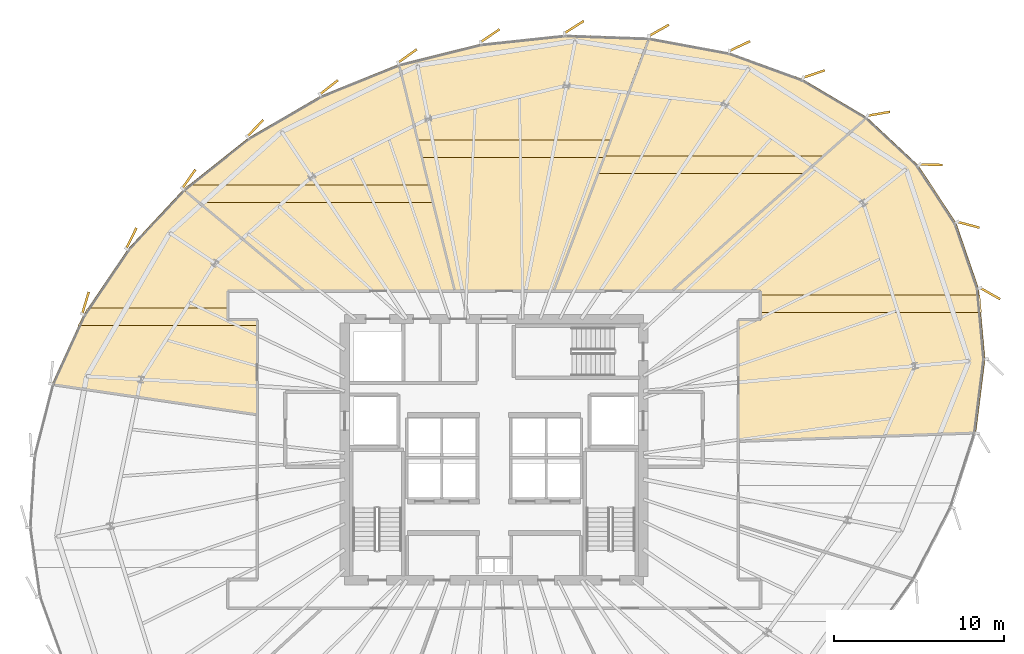
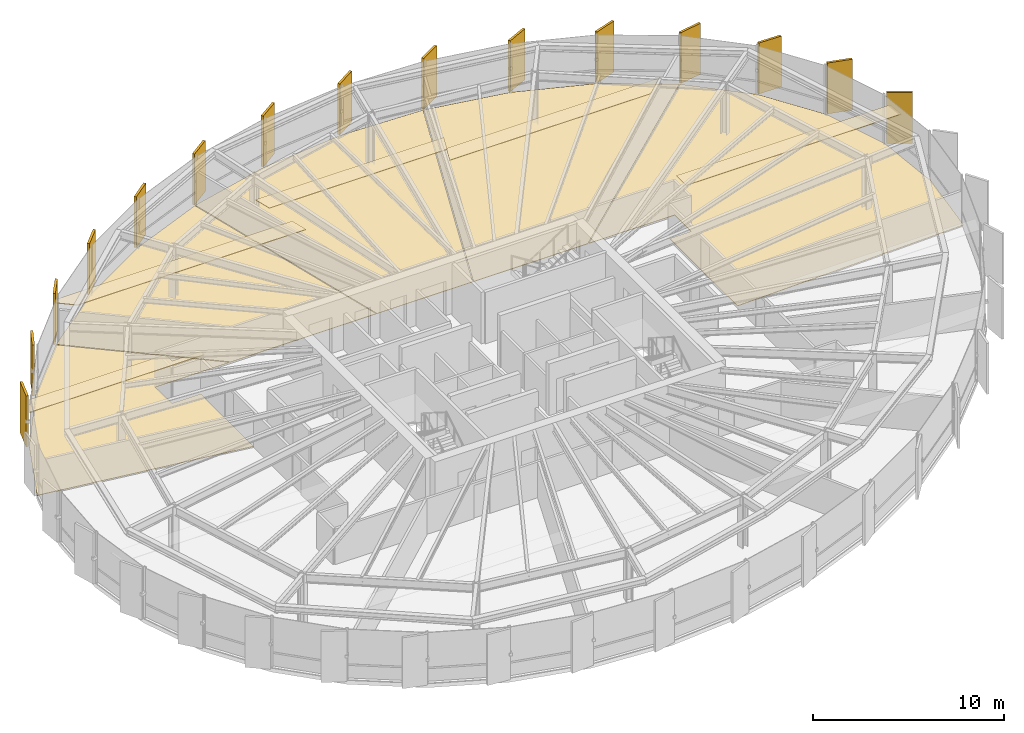
# One storey, part 35 of 35: 25 coverings.
"""IFC4 building model written with IfcOpenShell, lengths in metres."""

from ifc_helpers import new_model, si_unit, direction, frame, origin, origin_2d, place, context, subcontext, project, spatial, polyline, rectangle, outline, extrude, source, transform, mapped, material, layer, layer_set, type_object, element, save


model = new_model("IFC4")

# Units and contexts
model_context = context("Model", 3, precision=1e-05, world=origin(), true_north=direction((0.0, 1.0)))
body_context = subcontext(model_context, "Body", "Model", "MODEL_VIEW")
ifc_project = project(units=[si_unit("LENGTHUNIT", "METRE"), si_unit("AREAUNIT", "SQUARE_METRE"), si_unit("VOLUMEUNIT", "CUBIC_METRE"), si_unit("PLANEANGLEUNIT", "RADIAN"), si_unit("MASSUNIT", "GRAM", prefix="KILO"), si_unit("THERMODYNAMICTEMPERATUREUNIT", "KELVIN")], contexts=[model_context])

# Site, building, storey
site_placement = place(None, origin())
site = spatial("IfcSite", under=ifc_project, at=site_placement, CompositionType="ELEMENT")
building_placement = place(site_placement, origin())
building = spatial("IfcBuilding", under=site, at=building_placement, Name="Kethvar Cultural Tower", CompositionType="ELEMENT")
storey_placement = place(building_placement, frame((0.0, 0.0, 139.449951171875)))
storey = spatial("IfcBuildingStorey", under=building, at=storey_placement, Name="L35", CompositionType="ELEMENT", Elevation=139.449951171875)

# Coverings
ifc_material_1 = material(Name="Acoustic Mineral Fibre Ceiling")
ifc_layer_1 = layer(ifc_material_1, 0.0400390625, Name="Acoustic Mineral Fibre Ceiling")
ifc_layer_set_1 = layer_set([ifc_layer_1], Name="Acoustic Mineral Fibre Ceiling (40 mm)")
covering_type_1 = type_object("IfcCoveringType", Name="CV-ACOUSTIC-CEIL", PredefinedType="CEILING", material=ifc_layer_set_1)
covering_1_placement = place(storey_placement, frame((0.0, 0.0, 2.670166015625)))
element("IfcCovering", 1, at=covering_1_placement, inside=storey, type_object=covering_type_1, Name="L35 Room 06 Acoustic Ceiling Panel", PredefinedType="CEILING", context=body_context, shape_type="SweptSolid", body=[
    extrude(outline(polyline([(62.47998046875, 36.924560546875), (75.42822265625, 36.924560546875), (75.5224609375, 35.89453125), (62.47998046875, 35.89453125), (62.47998046875, 36.924560546875)])), origin(), (0.0, 0.0, 1.0), 0.039794921875),
])
covering_2_placement = place(storey_placement, frame((0.0, 0.0, 2.670166015625)))
element("IfcCovering", 2, at=covering_2_placement, inside=storey, type_object=covering_type_1, Name="L35 Room 07 Acoustic Ceiling Panel", PredefinedType="CEILING", context=body_context, shape_type="SweptSolid", body=[
    extrude(outline(polyline([(65.0654296875, 44.08203125), (52.895263671875, 44.08203125), (53.2822265625, 45.112060546875), (66.218994140625, 45.112060546875), (65.0654296875, 44.08203125)])), origin(), (0.0, 0.0, 1.0), 0.039794921875),
])
covering_3_placement = place(storey_placement, frame((0.0, 0.0, 2.670166015625)))
element("IfcCovering", 3, at=covering_3_placement, inside=storey, type_object=covering_type_1, Name="L35 Room 08 Acoustic Ceiling Panel", PredefinedType="CEILING", context=body_context, shape_type="SweptSolid", body=[
    extrude(outline(polyline([(53.291015625, 45.021728515625), (42.51708984375, 45.021728515625), (42.26220703125, 46.0517578125), (53.677978515625, 46.0517578125), (53.291015625, 45.021728515625)])), origin(), (0.0, 0.0, 1.0), 0.039794921875),
])
covering_4_placement = place(storey_placement, frame((0.0, 0.0, 2.670166015625)))
element("IfcCovering", 4, at=covering_4_placement, inside=storey, type_object=covering_type_1, Name="L35 Room 09 Acoustic Ceiling Panel", PredefinedType="CEILING", context=body_context, shape_type="SweptSolid", body=[
    extrude(outline(polyline([(28.472412109375, 43.130615234375), (28.77734375, 43.401123046875), (42.95947265625, 43.401123046875), (43.21435546875, 42.37109375), (29.378662109375, 42.37109375), (28.472412109375, 43.130615234375)])), origin(), (0.0, 0.0, 1.0), 0.039794921875),
])
covering_5_placement = place(storey_placement, frame((0.0, 0.0, 2.670166015625)))
element("IfcCovering", 5, at=covering_5_placement, inside=storey, type_object=covering_type_1, Name="L35 Room 10 Acoustic Ceiling Panel", PredefinedType="CEILING", context=body_context, shape_type="SweptSolid", body=[
    extrude(outline(polyline([(22.289794921875, 35.126953125), (22.843017578125, 36.156982421875), (31.1201171875, 36.156982421875), (31.1201171875, 35.469970703125), (32.85400390625, 35.469482421875), (32.8701171875, 35.126953125), (22.289794921875, 35.126953125)])), origin(), (0.0, 0.0, 1.0), 0.039794921875),
])
ifc_material_2 = material(Name="Architectural Oak Timber", Category="wood")
ifc_layer_2 = layer(ifc_material_2, 0.02490234375, Name="Architectural Oak Timber", Category="wood")
ifc_layer_set_2 = layer_set([ifc_layer_2], Name="Architectural Oak Timber (25 mm)")
covering_type_2 = type_object("IfcCoveringType", Name="CV-OAK-FLOOR", PredefinedType="FLOORING", material=ifc_layer_set_2)
covering_6_placement = place(storey_placement, origin())
element("IfcCovering", 6, at=covering_6_placement, inside=storey, type_object=covering_type_2, Name="L35 Room 06 Floor Finish", PredefinedType="FLOORING", context=body_context, shape_type="SweptSolid", body=[
    extrude(outline(polyline([(75.73486328125, 33.134765625), (75.193115234375, 28.79931640625), (61.219970703125, 28.3173828125), (61.219970703125, 35.429931640625), (62.515380859375, 35.437255859375), (62.5185546875, 37.15771484375), (57.32421875, 37.169921875), (68.761474609375, 47.382080078125), (71.807373046875, 44.5390625), (74.0341796875, 41.141845703125), (75.353515625, 37.30029296875), (75.73486328125, 33.134765625)])), origin(), (0.0, 0.0, 1.0), 0.025146484375),
])
covering_7_placement = place(storey_placement, origin())
element("IfcCovering", 7, at=covering_7_placement, inside=storey, type_object=covering_type_2, Name="L35 Room 07 Floor Finish", PredefinedType="FLOORING", context=body_context, shape_type="SweptSolid", body=[
    extrude(outline(polyline([(60.646240234375, 51.19970703125), (64.97900390625, 49.630126953125), (68.72802734375, 47.406005859375), (57.26416015625, 37.169921875), (50.34130859375, 37.169921875), (55.939208984375, 52.071044921875), (60.646240234375, 51.19970703125)])), origin(), (0.0, 0.0, 1.0), 0.025146484375),
])
covering_8_placement = place(storey_placement, origin())
element("IfcCovering", 8, at=covering_8_placement, inside=storey, type_object=covering_type_2, Name="L35 Room 08 Floor Finish", PredefinedType="FLOORING", context=body_context, shape_type="SweptSolid", body=[
    extrude(outline(polyline([(46.026123046875, 51.715576171875), (50.99267578125, 52.243408203125), (55.89794921875, 52.07470703125), (50.298583984375, 37.169921875), (44.501708984375, 37.169921875), (41.19921875, 50.51318359375), (46.026123046875, 51.715576171875)])), origin(), (0.0, 0.0, 1.0), 0.025146484375),
])
covering_9_placement = place(storey_placement, origin())
element("IfcCovering", 9, at=covering_9_placement, inside=storey, type_object=covering_type_2, Name="L35 Room 09 Floor Finish", PredefinedType="FLOORING", context=body_context, shape_type="SweptSolid", body=[
    extrude(outline(polyline([(28.518310546875, 43.14404296875), (32.322998046875, 46.169189453125), (36.58544921875, 48.650390625), (41.1611328125, 50.500732421875), (44.460205078125, 37.169921875), (35.648193359375, 37.169921875), (28.518310546875, 43.14404296875)])), origin(), (0.0, 0.0, 1.0), 0.025146484375),
])
covering_10_placement = place(storey_placement, origin())
element("IfcCovering", 10, at=covering_10_placement, inside=storey, type_object=covering_type_2, Name="L35 Room 10 Floor Finish", PredefinedType="FLOORING", context=body_context, shape_type="SweptSolid", body=[
    extrude(outline(polyline([(22.623046875, 35.76025390625), (25.23388671875, 39.62451171875), (28.48828125, 43.116943359375), (35.5859375, 37.169921875), (31.08154296875, 37.15771484375), (31.0859375, 35.435791015625), (32.830078125, 35.429931640625), (32.830078125, 29.888916015625), (20.757080078125, 31.676513671875), (22.623046875, 35.76025390625)])), origin(), (0.0, 0.0, 1.0), 0.025146484375),
])
ifc_material_3 = material(Name="Extruded Architectural Terracotta", Category="masonry")
ifc_layer_3 = layer(ifc_material_3, 0.135009765625, Name="Extruded Architectural Terracotta", Category="masonry")
ifc_layer_set_3 = layer_set([ifc_layer_3], Name="Extruded Architectural Terracotta (135 mm)")
covering_type_3 = type_object("IfcCoveringType", Name="Terracotta Facade Fin FIN-02", PredefinedType="CLADDING", material=ifc_layer_set_3)
shared_shape = source(origin(), body_context, "Body", "SweptSolid", [
    extrude(rectangle(XDim=1.35009765625, YDim=0.135009765625, at=origin_2d()), origin(), (0.0, 0.0, 1.0), 3.260009765625),
])
for number, where, z_axis, x_axis, name in (
    (11, (74.75048828125, 41.0546875, 0.02001953125), (0.0, 0.0, 1.0), (0.966823388604, -0.255445757936, 0.0), "L35 Vertical Terracotta Fin 1.1"),
    (12, (72.552001953125, 44.59375, 0.02001953125), (0.0, 0.0, 1.0), (0.999692900437, -0.024781138308, 0.0), "L35 Vertical Terracotta Fin 1.2"),
    (13, (69.4677734375, 47.593505859375, 0.02001953125), (0.0, 0.0, 1.0), (0.985258987478, 0.171069364861, 0.0), "L35 Vertical Terracotta Fin 1.3"),
    (14, (65.654296875, 49.939697265625, 0.02001953125), (0.0, 0.0, 1.0), (0.947322135083, 0.320282332298, 0.0), "L35 Vertical Terracotta Fin 1.4"),
    (15, (61.277099609375, 51.584716796875, 0.02001953125), (0.0, 0.0, 1.0), (0.90504986594, 0.425305466885, 0.0), "L35 Vertical Terracotta Fin 1.5"),
    (16, (56.515869140625, 52.50732421875, 0.02001953125), (0.0, 0.0, 1.0), (0.869322458298, 0.494245347472, 0.0), "L35 Vertical Terracotta Fin 1.6"),
    (17, (51.5146484375, 52.70068359375, 0.02001953125), (0.0, 0.0, 1.0), (0.844327925502, 0.535826794979, 0.0), "L35 Vertical Terracotta Fin 2.1"),
    (18, (46.561279296875, 52.192626953125, 0.02001953125), (0.0, 0.0, 1.0), (0.826884319778, 0.562372049186, 0.0), "L35 Vertical Terracotta Fin 2.2"),
    (19, (41.693115234375, 50.99609375, 0.02001953125), (0.0, 0.0, 1.0), (0.811879783112, 0.583824646426, 0.0), "L35 Vertical Terracotta Fin 2.3"),
    (20, (37.06689453125, 49.155029296875, 0.02001953125), (0.0, 0.0, 1.0), (0.78574894858, 0.61854554384, 0.0), "L35 Vertical Terracotta Fin 2.4"),
    (21, (32.7265625, 46.738037109375, 0.02001953125), (0.0, 0.0, 1.0), (0.68848116692, 0.725254219427, 0.0), "L35 Vertical Terracotta Fin 2.5"),
    (22, (28.815185546875, 43.752197265625, 0.02001953125), (0.0, 0.0, 1.0), (0.573290463408, 0.819352210326, 0.0), "L35 Vertical Terracotta Fin 2.6"),
    (23, (25.426513671875, 40.256103515625, 0.02001953125), (0.0, 0.0, 1.0), (0.438998516526, 0.898487786499, 0.0), "L35 Vertical Terracotta Fin 3.1"),
    (24, (22.725341796875, 36.4501953125, 0.02001953125), (0.0, 0.0, 1.0), (0.28501926247, 0.958521789017, 0.0), "L35 Vertical Terracotta Fin 3.2"),
    (25, (76.036865234375, 36.998779296875, 0.02001953125), (0.0, 0.0, 1.0), (0.870870883366, -0.491511855915, 0.0), "L35 Vertical Terracotta Fin 6.6"),
):
    element("IfcCovering", number, at=place(storey_placement, frame(where, z_axis=z_axis, x_axis=x_axis)), inside=storey, type_object=covering_type_3, Name=name, PredefinedType="CLADDING", context=body_context, shape_type="MappedRepresentation", body=[
        mapped(shared_shape, transform((0.0, 0.0, 0.0), scale=1.0)),
    ])

save(model, "model.ifc")
